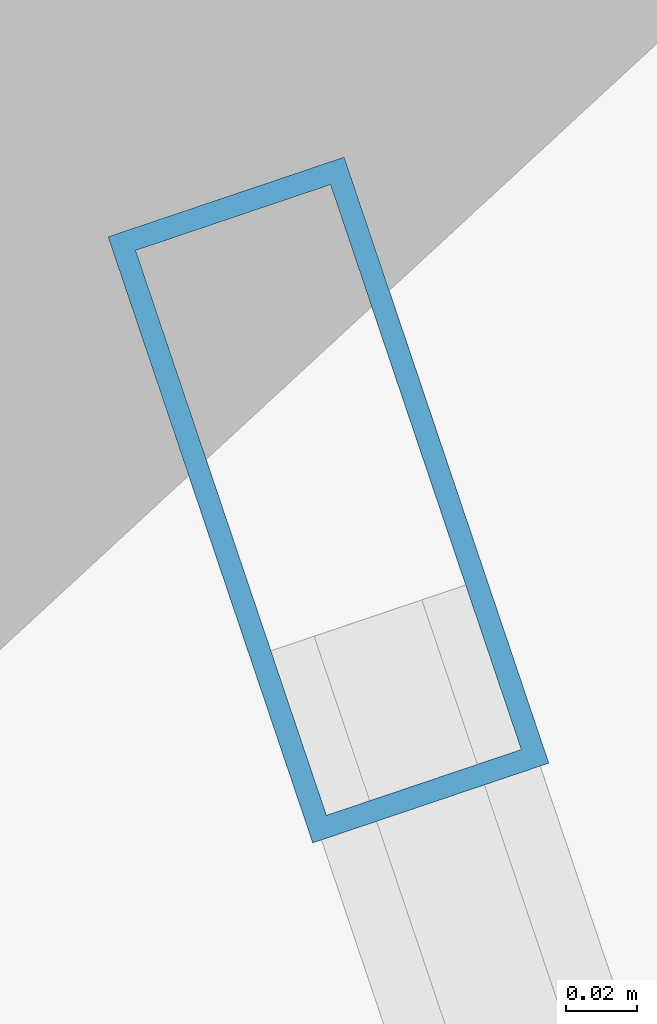
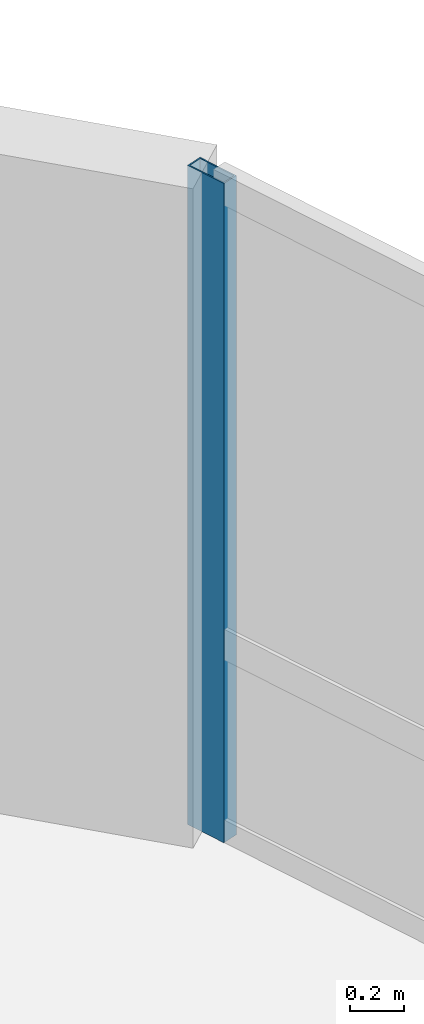
# One storey, part 10 of 17: 1 member, 1 element without a shape of its own.
"""IFC4 building model written with IfcOpenShell, lengths in metres."""

import ifcopenshell
import ifcopenshell.guid

model = None  # the IFC model being written
_history = None  # IfcOwnerHistory: only IFC2X3 demands one
_inside = {}  # id of a spatial element -> (the spatial element, [elements in it])
_under = {}  # id of a project, library or spatial element -> (it, [spatial elements below it])
_declared = {}  # id of a project -> (the project, [libraries it declares])
_typed = {}  # id of a type object -> (the type object, [elements of that type])
_made_of = {}  # id of a material, layer set ... -> (it, [elements and type objects made of it])


def new_model(schema):
    """Start an empty IFC model of exactly this schema.

    Asked for "IFC4X3", IfcOpenShell would pick the latest addendum, in which some entities
    have other attributes; the version numbers below select the first issue.
    IFC2X3 requires an IfcOwnerHistory on every rooted entity: one is made here for all.
    """
    global model, _history
    if schema == "IFC4X3":
        model = ifcopenshell.file(schema_version=(4, 3, 0, 0))
    else:
        model = ifcopenshell.file(schema=schema)
    _inside.clear()
    _under.clear()
    _declared.clear()
    _typed.clear()
    _made_of.clear()
    _history = None
    if model.schema == "IFC2X3":
        org = make("IfcOrganization", Name="unknown")
        user = make(
            "IfcPersonAndOrganization",
            ThePerson=make("IfcPerson", FamilyName="unknown"),
            TheOrganization=org,
        )
        app = make(
            "IfcApplication",
            ApplicationDeveloper=org,
            Version="unknown",
            ApplicationFullName="unknown",
            ApplicationIdentifier="unknown",
        )
        _history = make(
            "IfcOwnerHistory",
            OwningUser=user,
            OwningApplication=app,
            ChangeAction="ADDED",
            CreationDate=0,
        )
    return model


def make(cls, **values):
    """One entity of the class cls with the attributes given. An attribute that is None is left unset."""
    return model.create_entity(
        cls, **{name: value for name, value in values.items() if value is not None}
    )


def rooted(cls, **values):
    """An entity with a GlobalId (a new one), such as an element, a storey or a relation."""
    return make(cls, GlobalId=ifcopenshell.guid.new(), OwnerHistory=_history, **values)


def si_unit(unit_type, name, prefix=None):
    """IfcSIUnit, for example si_unit("LENGTHUNIT", "METRE", prefix="MILLI")."""
    return make("IfcSIUnit", UnitType=unit_type, Prefix=prefix, Name=name)


def assignment(units):
    """IfcUnitAssignment: the units of a project."""
    return None if units is None else make("IfcUnitAssignment", Units=units)


def point(xyz):
    """IfcCartesianPoint."""
    return None if xyz is None else make("IfcCartesianPoint", Coordinates=xyz)


def direction(xyz):
    """IfcDirection."""
    return None if xyz is None else make("IfcDirection", DirectionRatios=xyz)


def frame(location, z_axis=None, x_axis=None):
    """IfcAxis2Placement3D, a coordinate frame: its origin and axes. An axis left out is left unset."""
    return make(
        "IfcAxis2Placement3D",
        Location=point(location),
        Axis=direction(z_axis),
        RefDirection=direction(x_axis),
    )


def frame_2d(location, x_axis=None):
    """IfcAxis2Placement2D, a coordinate frame in the plane: its origin and x axis."""
    return make(
        "IfcAxis2Placement2D", Location=point(location), RefDirection=direction(x_axis)
    )


def origin():
    """The frame at (0, 0, 0) with its axes left unset."""
    return frame((0.0, 0.0, 0.0))


def origin_2d():
    """The frame at (0, 0) in the plane with its x axis left unset."""
    return frame_2d((0.0, 0.0))


def place(relative_to, where):
    """IfcLocalPlacement: puts the frame where relative to a parent placement (None: the world)."""
    return make(
        "IfcLocalPlacement", PlacementRelTo=relative_to, RelativePlacement=where
    )


def context(
    kind, dimensions, precision=None, world=None, true_north=None, identifier=None
):
    """IfcGeometricRepresentationContext, for example the 3D "Model" context."""
    return make(
        "IfcGeometricRepresentationContext",
        ContextIdentifier=identifier,
        ContextType=kind,
        CoordinateSpaceDimension=dimensions,
        Precision=precision,
        WorldCoordinateSystem=world,
        TrueNorth=true_north,
    )


def subcontext(parent, identifier, kind, view, scale=None):
    """IfcGeometricRepresentationSubContext, for example "Body" below "Model"."""
    return make(
        "IfcGeometricRepresentationSubContext",
        ContextIdentifier=identifier,
        ContextType=kind,
        ParentContext=parent,
        TargetScale=scale,
        TargetView=view,
    )


def project(units=None, contexts=None):
    """IfcProject with its units and contexts."""
    return rooted(
        "IfcProject",
        Name="project",
        RepresentationContexts=contexts,
        UnitsInContext=assignment(units),
    )


def spatial(cls, under=None, at=None, **own):
    """A site, building, storey or space (cls), placed at a placement, below another one or the project."""
    s = rooted(cls, ObjectPlacement=at, **own)
    if under is not None:
        _under.setdefault(under.id(), (under, []))[1].append(s)
    return s


def profile(cls, at=None, kind="AREA", **sizes):
    """A parametric profile (cls). Its sizes go by their IFC names, for example OverallWidth=200.0."""
    return make(cls, ProfileType=kind, Position=at, **sizes)


def hollow_rectangle(**sizes):
    """IfcRectangleHollowProfileDef."""
    return profile("IfcRectangleHollowProfileDef", **sizes)


def extrude(swept, where, along, depth):
    """IfcExtrudedAreaSolid: the profile swept, set in the frame where, extruded along a direction by depth."""
    return make(
        "IfcExtrudedAreaSolid",
        SweptArea=swept,
        Position=where,
        ExtrudedDirection=direction(along),
        Depth=depth,
    )


def shape(context_of_items, identifier, shape_type, items):
    """IfcShapeRepresentation: the items that make up one representation, for example the "Body"."""
    return make(
        "IfcShapeRepresentation",
        ContextOfItems=context_of_items,
        RepresentationIdentifier=identifier,
        RepresentationType=shape_type,
        Items=items,
    )


def material(Name=None, Category=None):
    """IfcMaterial."""
    return make("IfcMaterial", Name=Name, Category=Category)


def layer(
    of_material, thickness, ventilated=None, Name=None, Category=None, Priority=None
):
    """IfcMaterialLayer: one layer of a wall or slab, of a material (None: an air gap)."""
    return make(
        "IfcMaterialLayer",
        Material=of_material,
        LayerThickness=thickness,
        IsVentilated=ventilated,
        Name=Name,
        Category=Category,
        Priority=Priority,
    )


def layer_set(layers, Name=None):
    """IfcMaterialLayerSet."""
    return make("IfcMaterialLayerSet", MaterialLayers=layers, LayerSetName=Name)


def material_profile(
    of_material, cross_section, Name=None, Category=None, Priority=None
):
    """IfcMaterialProfile: a cross section and its material."""
    return make(
        "IfcMaterialProfile",
        Name=Name,
        Material=of_material,
        Profile=cross_section,
        Priority=Priority,
        Category=Category,
    )


def profile_set(profiles, Name=None, composite=None):
    """IfcMaterialProfileSet."""
    return make(
        "IfcMaterialProfileSet",
        Name=Name,
        MaterialProfiles=profiles,
        CompositeProfile=composite,
    )


def made_of(thing, what):
    """Note that an element or type object is made of a material, layer set ...; save() writes the relation."""
    if what is not None:
        _made_of.setdefault(what.id(), (what, []))[1].append(thing)
    return thing


def type_object(cls, material=None, **own):
    """A type object (cls), such as IfcWallType, which elements share."""
    return made_of(rooted(cls, **own), material)


def element(
    cls,
    number,
    at=None,
    inside=None,
    cuts=None,
    type_object=None,
    material=None,
    context=None,
    identifier="Body",
    shape_type=None,
    held_by="IfcProductDefinitionShape",
    body=None,
    shapes=None,
    **own,
):
    """One element of the class cls, such as IfcWall. Its Tag is "e" and its number.

    at: its placement. inside: the storey or other place that contains it. cuts: it is an
    opening in that element (IfcRelVoidsElement). A single representation is given by context,
    identifier, shape_type and body (its items); several are given by shapes. held_by: the class
    of the entity that holds the representations. save() writes the other relations.
    """
    e = rooted(cls, Tag="e%d" % number, ObjectPlacement=at, **own)
    if body is not None:
        shapes = [shape(context, identifier, shape_type, body)]
    if shapes is not None:
        e.Representation = make(held_by, Representations=shapes)
    if inside is not None:
        _inside.setdefault(inside.id(), (inside, []))[1].append(e)
    if cuts is not None:
        rooted(
            "IfcRelVoidsElement", RelatingBuildingElement=cuts, RelatedOpeningElement=e
        )
    if type_object is not None:
        _typed.setdefault(type_object.id(), (type_object, []))[1].append(e)
    return made_of(e, material)


def aggregate(whole, parts):
    """IfcRelAggregates: a whole, such as a stair, and the parts it consists of."""
    return rooted("IfcRelAggregates", RelatingObject=whole, RelatedObjects=parts)


def save(model, path):
    """Write the relations noted so far, then the file.

    IfcRelAggregates (storeys below a building ...), IfcRelContainedInSpatialStructure (elements
    in a storey), IfcRelDefinesByType, IfcRelAssociatesMaterial and IfcRelDeclares: one each for
    every whole, place, type object, material and project.
    """
    for whole, parts in _under.values():
        aggregate(whole, parts)
    for where, things in _inside.values():
        rooted(
            "IfcRelContainedInSpatialStructure",
            RelatedElements=things,
            RelatingStructure=where,
        )
    for kind, things in _typed.values():
        rooted("IfcRelDefinesByType", RelatedObjects=things, RelatingType=kind)
    for what, things in _made_of.values():
        rooted("IfcRelAssociatesMaterial", RelatedObjects=things, RelatingMaterial=what)
    for by, libraries in _declared.values():
        rooted("IfcRelDeclares", RelatingContext=by, RelatedDefinitions=libraries)
    model.write(path)


model = new_model("IFC4")

# Units and contexts
model_context = context("Model", 3, precision=1e-05, world=origin(), true_north=direction((0.0, 1.0)))
body_context = subcontext(model_context, "Body", "Model", "MODEL_VIEW")
ifc_project = project(units=[si_unit("LENGTHUNIT", "METRE"), si_unit("AREAUNIT", "SQUARE_METRE"), si_unit("VOLUMEUNIT", "CUBIC_METRE"), si_unit("PLANEANGLEUNIT", "RADIAN"), si_unit("MASSUNIT", "GRAM", prefix="KILO"), si_unit("THERMODYNAMICTEMPERATUREUNIT", "KELVIN"), si_unit("POWERUNIT", "WATT")], contexts=[model_context])

# Site, building, storey
site_placement = place(None, origin())
site = spatial("IfcSite", under=ifc_project, at=site_placement, CompositionType="ELEMENT")
building_placement = place(site_placement, origin())
building = spatial("IfcBuilding", under=site, at=building_placement, Name="Ocrelia Relay Tower", CompositionType="ELEMENT")
storey_placement = place(building_placement, frame((0.0, 0.0, 55.199951171875)))
storey = spatial("IfcBuildingStorey", under=building, at=storey_placement, Name="L12", CompositionType="ELEMENT", Elevation=55.199951171875)

# Curtain wall, member
ifc_material_1 = material(Name="Aluminium and solar-control low-E glass", Category="aluminium")
ifc_layer = layer(ifc_material_1, 0.179931640625, Name="Aluminium and solar-control low-E glass")
ifc_layer_set = layer_set([ifc_layer], Name="Aluminium and solar-control low-E glass")
curtain_wall_type = type_object("IfcCurtainWallType", Name="CW-SYS-Z1-DATA", PredefinedType="NOTDEFINED", material=ifc_layer_set)
curtain_wall_placement = place(storey_placement, origin())
curtain_wall = element("IfcCurtainWall", 1, at=curtain_wall_placement, inside=storey, type_object=curtain_wall_type, Name="L12 Elliptical Tower Curtain Wall Bay 01", PredefinedType="NOTDEFINED")
ifc_material_2 = material(Name="Anodised bronze aluminium", Category="aluminium")
ifc_material_profile = material_profile(ifc_material_2, hollow_rectangle(XDim=0.070068359375, YDim=0.179931640625, WallThickness=0.006103515625, at=origin_2d()), Name="CW-MUL-180x70")
ifc_profile_set = profile_set([ifc_material_profile], Name="Anodised bronze aluminium")
member_type = type_object("IfcMemberType", Name="CW-SYS-Z1-DATA-MUL", PredefinedType="MULLION", material=ifc_profile_set)
member_placement = place(storey_placement, frame((59.281982421875, 35.810546875, 0.0), z_axis=(0.0, 0.0, 1.0), x_axis=(-0.947433239602, -0.319953522402, 0.0)))
member = element("IfcMember", 2, at=member_placement, type_object=member_type, Name="CW-Z1 mullion 3", PredefinedType="MULLION", context=body_context, shape_type="SweptSolid", body=[
    extrude(hollow_rectangle(XDim=0.070068359375, YDim=0.179931640625, WallThickness=0.006103515625, at=origin_2d()), origin(), (0.0, 0.0, 1.0), 3.0),
])
aggregate(curtain_wall, [member])

save(model, "model.ifc")
